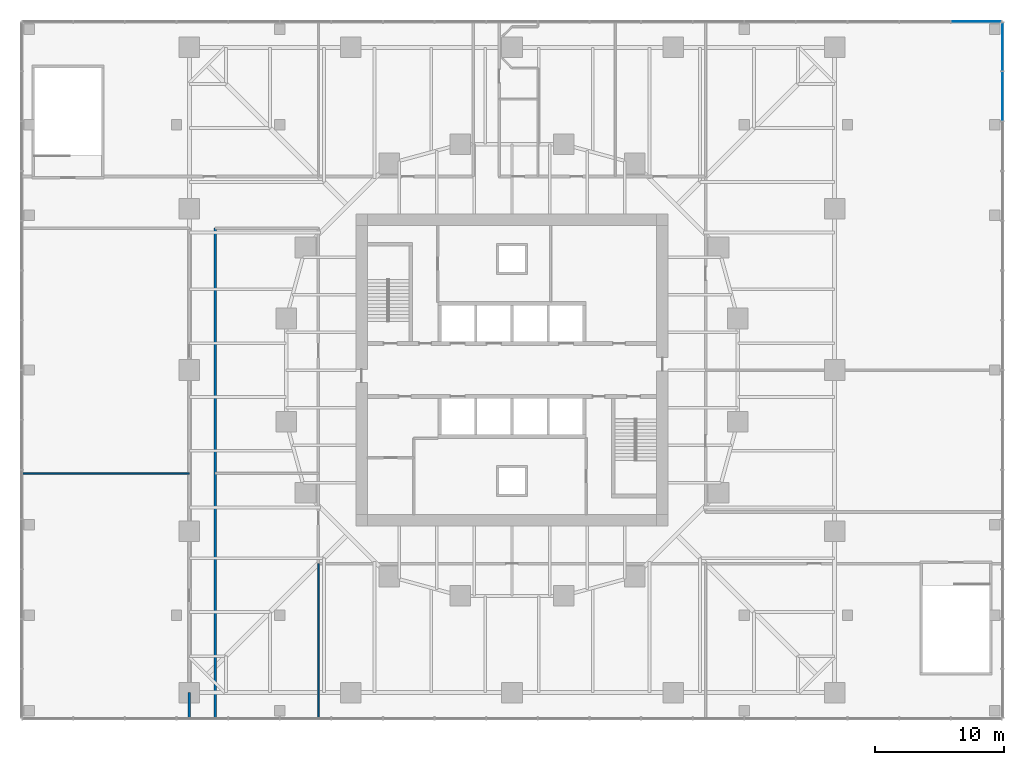
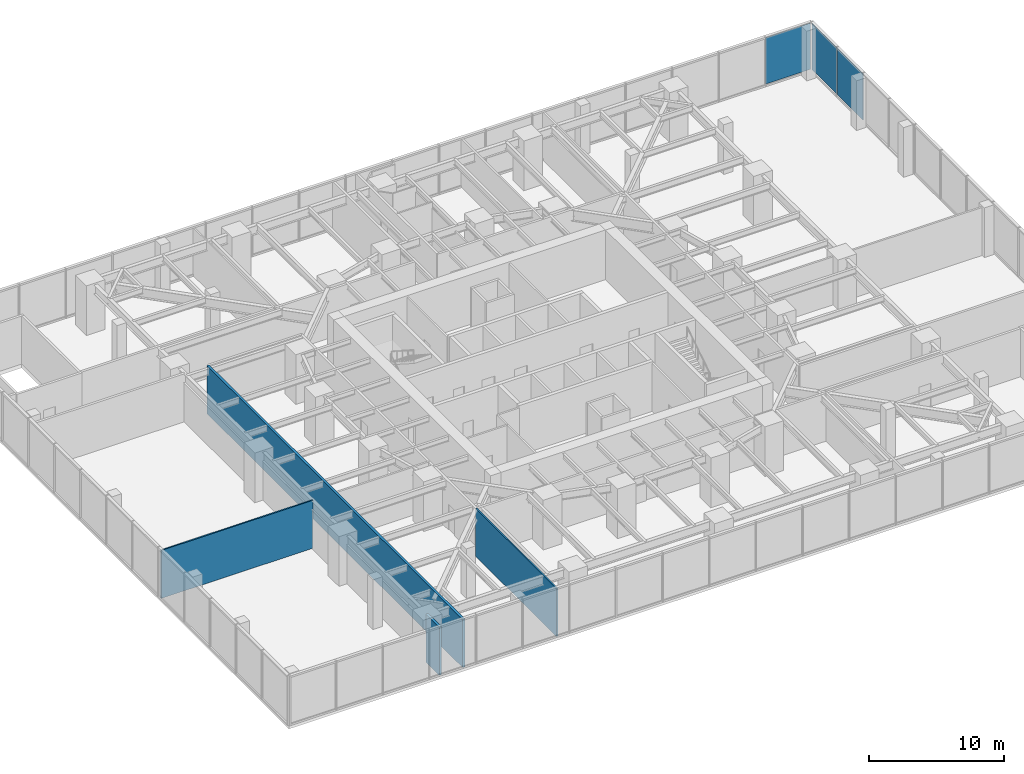
# One storey, part 10 of 14: 4 walls, 3 plates, 2 elements without a shape of their own.
"""IFC4 building model written with IfcOpenShell, lengths in metres."""

from ifc_helpers import new_model, si_unit, direction, frame, frame_2d, origin, origin_2d, place, context, subcontext, project, spatial, rectangle, extrude, material, layer, layer_set, type_object, element, aggregate, save


model = new_model("IFC4")

# Units and contexts
model_context = context("Model", 3, precision=1e-05, world=origin(), true_north=direction((0.0, 1.0)))
body_context = subcontext(model_context, "Body", "Model", "MODEL_VIEW")
ifc_project = project(units=[si_unit("LENGTHUNIT", "METRE"), si_unit("AREAUNIT", "SQUARE_METRE"), si_unit("VOLUMEUNIT", "CUBIC_METRE"), si_unit("PLANEANGLEUNIT", "RADIAN"), si_unit("MASSUNIT", "GRAM", prefix="KILO")], contexts=[model_context])

# Site, building, storey
site_placement = place(None, origin())
site = spatial("IfcSite", under=ifc_project, at=site_placement, CompositionType="ELEMENT")
building_placement = place(site_placement, origin())
building = spatial("IfcBuilding", under=site, at=building_placement, Name="Torsade Residences", CompositionType="ELEMENT")
storey_placement = place(building_placement, frame((0.0, 0.0, 10.5)))
storey = spatial("IfcBuildingStorey", under=building, at=storey_placement, Name="L02", CompositionType="ELEMENT", Elevation=10.5)

# Curtain wall, plate
ifc_material_1 = material(Name="Aluminium and glass", Category="aluminium")
curtain_wall_type = type_object("IfcCurtainWallType", Name="PODIUM CURTAIN WALL", PredefinedType="NOTDEFINED", material=ifc_material_1)
curtain_wall_1_placement = place(storey_placement, origin())
curtain_wall_1 = element("IfcCurtainWall", 1, at=curtain_wall_1_placement, inside=storey, type_object=curtain_wall_type, Name="Podium curtain wall L02 E", PredefinedType="NOTDEFINED")
ifc_material_2 = material(Name="Laminated glass", Category="glass")
ifc_layer_1 = layer(ifc_material_2, 0.031982421875)
ifc_layer_set_1 = layer_set([ifc_layer_1], Name="Laminated glass")
plate_type_1 = type_object("IfcPlateType", Name="FRITTED GLASS PANEL", PredefinedType="CURTAIN_PANEL", material=ifc_layer_set_1)
plate_1_placement = place(storey_placement, frame((78.0, 51.21435546875, 0.14990234375), z_axis=(0.0, 0.0, 1.0), x_axis=(0.0, 1.0, 0.0)))
plate_1 = element("IfcPlate", 2, at=plate_1_placement, type_object=plate_type_1, Name="Panel 13", PredefinedType="CURTAIN_PANEL", context=body_context, shape_type="SweptSolid", body=[
    extrude(rectangle(XDim=3.76708984375, YDim=0.031982421875, at=origin_2d()), origin(), (0.0, 0.0, 1.0), 4.199951171875),
])

curtain_wall_2_placement = place(storey_placement, origin())
curtain_wall_2 = element("IfcCurtainWall", 3, at=curtain_wall_2_placement, inside=storey, type_object=curtain_wall_type, Name="Podium curtain wall L02 N", PredefinedType="NOTDEFINED")
plate_2_placement = place(storey_placement, frame((75.9775390625, 57.0, 0.14990234375), z_axis=(0.0, 0.0, 1.0), x_axis=(-1.0, 0.0, 0.0)))
plate_2 = element("IfcPlate", 4, at=plate_2_placement, type_object=plate_type_1, Name="Panel 1", PredefinedType="CURTAIN_PANEL", context=body_context, shape_type="SweptSolid", body=[
    extrude(rectangle(XDim=3.864990234375, YDim=0.031982421875, at=origin_2d()), origin(), (0.0, 0.0, 1.0), 4.199951171875),
])
aggregate(curtain_wall_2, [plate_2])

# Plate
ifc_material_3 = material(Name="Laminated glass", Category="glass")
ifc_layer_2 = layer(ifc_material_3, 0.0400390625)
ifc_layer_set_2 = layer_set([ifc_layer_2], Name="Laminated glass")
plate_type_2 = type_object("IfcPlateType", Name="OPERABLE VENT PANEL", PredefinedType="CURTAIN_PANEL", material=ifc_layer_set_2)
plate_3_placement = place(storey_placement, frame((78.0, 55.048828125, 0.14990234375), z_axis=(0.0, 0.0, 1.0), x_axis=(0.0, 1.0, 0.0)))
plate_3 = element("IfcPlate", 5, at=plate_3_placement, type_object=plate_type_2, Name="Panel 14", PredefinedType="CURTAIN_PANEL", context=body_context, shape_type="SweptSolid", body=[
    extrude(rectangle(XDim=3.72216796875, YDim=0.0400390625, at=origin_2d()), origin(), (0.0, 0.0, 1.0), 4.199951171875),
])

aggregate(curtain_wall_1, [plate_1, plate_3])

# Walls
ifc_material_4 = material(Name="Plasterboard on steel stud", Category="steel")
ifc_layer_3 = layer(ifc_material_4, 0.199951171875)
ifc_layer_set_3 = layer_set([ifc_layer_3], Name="Plasterboard on steel stud")
wall_type_1 = type_object("IfcWallType", Name="CORRIDOR WALL 200", PredefinedType="PARTITIONING", material=ifc_layer_set_3)
wall_1_placement = place(storey_placement, frame((15.0, 3.0, 0.0), z_axis=(0.0, 0.0, 1.0), x_axis=(0.0, 1.0, 0.0)))
element("IfcWall", 6, at=wall_1_placement, inside=storey, type_object=wall_type_1, Name="Corridor wall L02", PredefinedType="PARTITIONING", context=body_context, shape_type="SweptSolid", body=[
    extrude(rectangle(XDim=2.0, YDim=0.199951171875, at=frame_2d((1.0, 0.0))), origin(), (0.0, 0.0, 1.0), 4.35009765625),
])
wall_2_placement = place(storey_placement, frame((17.0, 41.0, 0.0), z_axis=(0.0, 0.0, 1.0), x_axis=(0.0, -1.0, 0.0)))
element("IfcWall", 7, at=wall_2_placement, inside=storey, type_object=wall_type_1, Name="Corridor wall L02", PredefinedType="PARTITIONING", context=body_context, shape_type="SweptSolid", body=[
    extrude(rectangle(XDim=38.0, YDim=0.199951171875, at=frame_2d((19.0, 0.0))), origin(), (0.0, 0.0, 1.0), 4.35009765625),
])
ifc_material_5 = material(Name="Plasterboard on steel stud", Category="steel")
ifc_layer_4 = layer(ifc_material_5, 0.1201171875)
ifc_layer_set_4 = layer_set([ifc_layer_4], Name="Plasterboard on steel stud")
wall_type_2 = type_object("IfcWallType", Name="PARTITION 120", PredefinedType="PARTITIONING", material=ifc_layer_set_4)
wall_3_placement = place(storey_placement, frame((2.0, 22.0, 0.0), z_axis=(0.0, 0.0, 1.0), x_axis=(1.0, 0.0, 0.0)))
element("IfcWall", 8, at=wall_3_placement, inside=storey, type_object=wall_type_2, Name="Partition L02", PredefinedType="PARTITIONING", context=body_context, shape_type="SweptSolid", body=[
    extrude(rectangle(XDim=13.0, YDim=0.1201171875, at=frame_2d((6.5, 0.0))), origin(), (0.0, 0.0, 1.0), 4.35009765625),
])
wall_4_placement = place(storey_placement, frame((25.0, 15.0, 0.0), z_axis=(0.0, 0.0, 1.0), x_axis=(0.0, -1.0, 0.0)))
element("IfcWall", 9, at=wall_4_placement, inside=storey, type_object=wall_type_2, Name="Partition L02", PredefinedType="PARTITIONING", context=body_context, shape_type="SweptSolid", body=[
    extrude(rectangle(XDim=12.0, YDim=0.1201171875, at=frame_2d((6.0, 0.0))), origin(), (0.0, 0.0, 1.0), 4.35009765625),
])

save(model, "model.ifc")
